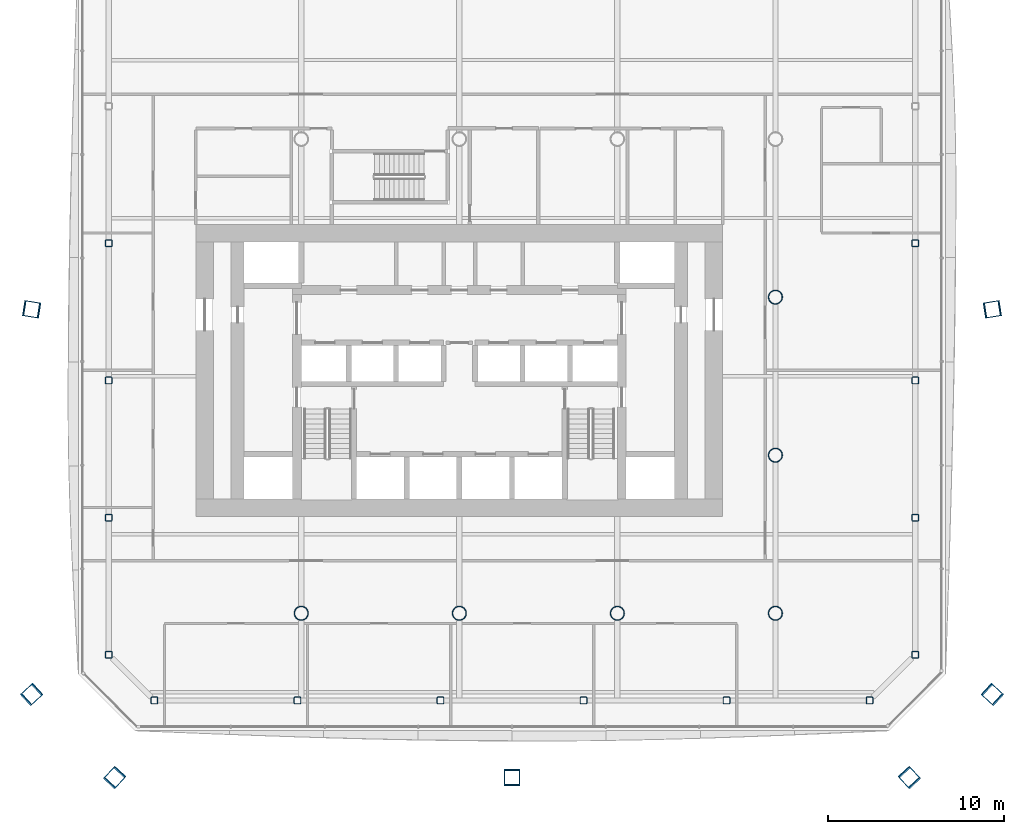
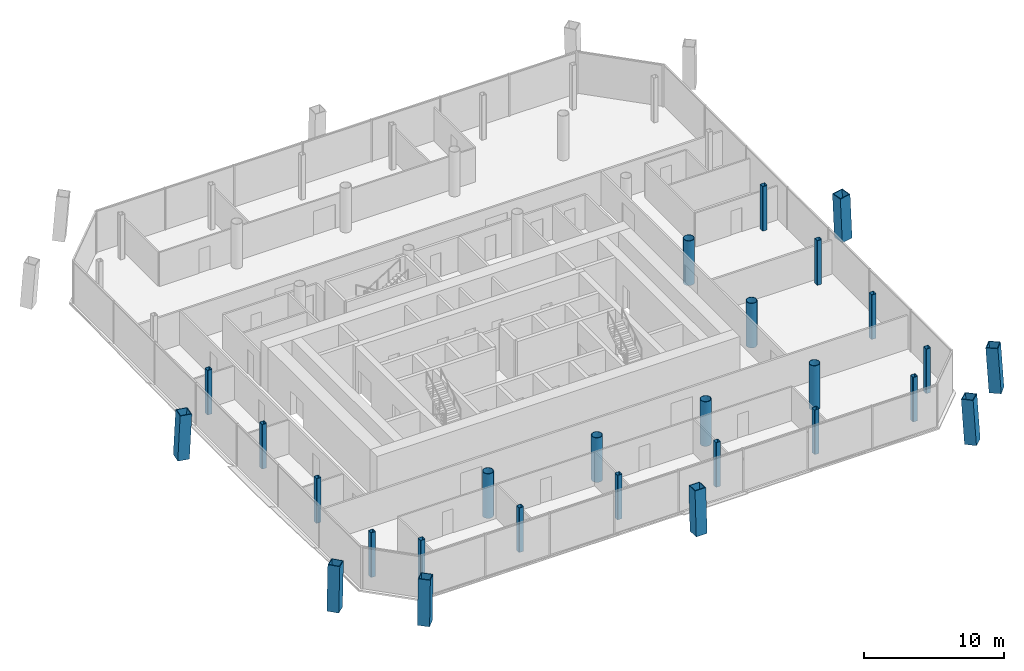
# One storey, part 1 of 19: 27 columns.
"""IFC4 building model written with IfcOpenShell, lengths in metres."""

from ifc_helpers import new_model, si_unit, direction, frame, origin, origin_2d, place, context, subcontext, project, spatial, hollow_rectangle, hollow_circle, extrude, material, material_profile, profile_set, type_object, element, save


model = new_model("IFC4")

# Units and contexts
model_context = context("Model", 3, precision=1e-05, world=origin(), true_north=direction((0.0, 1.0)))
body_context = subcontext(model_context, "Body", "Model", "MODEL_VIEW")
ifc_project = project(units=[si_unit("LENGTHUNIT", "METRE"), si_unit("AREAUNIT", "SQUARE_METRE"), si_unit("VOLUMEUNIT", "CUBIC_METRE"), si_unit("PLANEANGLEUNIT", "RADIAN"), si_unit("MASSUNIT", "GRAM", prefix="KILO")], contexts=[model_context])

# Site, building, storey
site_placement = place(None, origin())
site = spatial("IfcSite", under=ifc_project, at=site_placement, CompositionType="ELEMENT")
building_placement = place(site_placement, origin())
building = spatial("IfcBuilding", under=site, at=building_placement, Name="Tskaro Facet Tower", CompositionType="ELEMENT")
storey_placement = place(building_placement, frame((0.0, 0.0, 89.39990234375)))
storey = spatial("IfcBuildingStorey", under=building, at=storey_placement, Name="L21", CompositionType="ELEMENT", Elevation=89.39990234375)

# Columns
ifc_material_1 = material(Name="Steel S460M", Category="steel")
ifc_material_profile_1 = material_profile(ifc_material_1, hollow_rectangle(XDim=0.89990234375, YDim=0.89990234375, WallThickness=0.054931640625, at=origin_2d()), Name="BOX 900x900x55")
ifc_profile_set_1 = profile_set([ifc_material_profile_1], Name="Steel S460M")
column_type_1 = type_object("IfcColumnType", Name="BOX 900x900x55 mega column", PredefinedType="COLUMN", material=ifc_profile_set_1)
column_1_placement = place(storey_placement, frame((-19.64892578125, -27.3798828125, 0.0), z_axis=(0.042731350333, 0.046542187132, 0.99800193212), x_axis=(-0.736620357353, 0.676306475744, 0.0)))
element("IfcColumn", 1, at=column_1_placement, inside=storey, type_object=column_type_1, Name="BOX 900x900x55 MC01/2", PredefinedType="COLUMN", context=body_context, shape_type="SweptSolid", body=[
    extrude(hollow_rectangle(XDim=0.89990234375, YDim=0.89990234375, WallThickness=0.054931640625, at=origin_2d()), origin(), (0.0, 0.0, 1.0), 3.907958984375),
])
column_2_placement = place(storey_placement, frame((3.0, -27.3798828125, 0.0), z_axis=(0.0, 0.046584737692, 0.99891434178), x_axis=(-1.0, 0.0, 0.0)))
element("IfcColumn", 2, at=column_2_placement, inside=storey, type_object=column_type_1, Name="BOX 900x900x55 MC02/2", PredefinedType="COLUMN", context=body_context, shape_type="SweptSolid", body=[
    extrude(hollow_rectangle(XDim=0.89990234375, YDim=0.89990234375, WallThickness=0.054931640625, at=origin_2d()), origin(), (0.0, 0.0, 1.0), 3.904296875),
])
for number, where, z_axis, x_axis, name in (
    (3, (25.64892578125, -27.3798828125, 0.0), (-0.042731350333, 0.046542187132, 0.99800193212), (-0.736620357353, -0.676306475744, 0.0), "BOX 900x900x55 MC03/2"),
    (4, (30.3798828125, -22.64892578125, 0.0), (-0.046542187132, 0.042731350333, 0.99800193212), (-0.676306475744, -0.736620357353, 0.0), "BOX 900x900x55 MC04/2"),
):
    element("IfcColumn", number, at=place(storey_placement, frame(where, z_axis=z_axis, x_axis=x_axis)), inside=storey, type_object=column_type_1, Name=name, PredefinedType="COLUMN", context=body_context, shape_type="SweptSolid", body=[
        extrude(hollow_rectangle(XDim=0.89990234375, YDim=0.89990234375, WallThickness=0.054931640625, at=origin_2d()), origin(), (0.0, 0.0, 1.0), 3.907958984375),
    ])
for number, where, z_axis, x_axis, name in (
    (5, (30.3798828125, -0.68798828125, 0.0), (-0.046583448064, -0.007440846067, 0.998886688357), (0.157732016924, -0.987481954689, 0.0), "BOX 900x900x55 MC05/2"),
    (6, (-24.3798828125, -0.68798828125, 0.0), (0.046583448064, -0.007440846067, 0.998886688357), (0.157732016924, 0.987481954689, 0.0), "BOX 900x900x55 MC11/2"),
):
    element("IfcColumn", number, at=place(storey_placement, frame(where, z_axis=z_axis, x_axis=x_axis)), inside=storey, type_object=column_type_1, Name=name, PredefinedType="COLUMN", context=body_context, shape_type="SweptSolid", body=[
        extrude(hollow_rectangle(XDim=0.89990234375, YDim=0.89990234375, WallThickness=0.054931640625, at=origin_2d()), origin(), (0.0, 0.0, 1.0), 3.904541015625),
    ])
column_3_placement = place(storey_placement, frame((-24.3798828125, -22.64892578125, 0.0), z_axis=(0.046542187132, 0.042731350333, 0.99800193212), x_axis=(-0.676306475744, 0.736620357353, 0.0)))
element("IfcColumn", 7, at=column_3_placement, inside=storey, type_object=column_type_1, Name="BOX 900x900x55 MC12/2", PredefinedType="COLUMN", context=body_context, shape_type="SweptSolid", body=[
    extrude(hollow_rectangle(XDim=0.89990234375, YDim=0.89990234375, WallThickness=0.054931640625, at=origin_2d()), origin(), (0.0, 0.0, 1.0), 3.907958984375),
])
ifc_material_2 = material(Name="Steel S355J2H", Category="steel")
ifc_material_profile_2 = material_profile(ifc_material_2, hollow_circle(Radius=0.406494140625, WallThickness=0.035888671875, at=origin_2d()), Name="CHS 812.8x36")
ifc_profile_set_2 = profile_set([ifc_material_profile_2], Name="Steel S355J2H")
column_type_2 = type_object("IfcColumnType", Name="CHS 812.8x36 interior column", PredefinedType="COLUMN", material=ifc_profile_set_2)
for number, where, z_axis, x_axis, name in (
    (8, (-9.0, -18.0, 0.0), (0.0, 0.0, 1.0), (1.0, 0.0, 0.0), "CHS 812.8x36 C3B/2"),
    (9, (0.0, -18.0, 0.0), (0.0, 0.0, 1.0), (1.0, 0.0, 0.0), "CHS 812.8x36 C4B/2"),
    (10, (9.0, -18.0, 0.0), (0.0, 0.0, 1.0), (1.0, 0.0, 0.0), "CHS 812.8x36 C5B/2"),
    (11, (18.0, -18.0, 0.0), (0.0, 0.0, 1.0), (1.0, 0.0, 0.0), "CHS 812.8x36 C6B/2"),
    (12, (18.0, -9.0, 0.0), (0.0, 0.0, 1.0), (1.0, 0.0, 0.0), "CHS 812.8x36 C6C/2"),
    (13, (18.0, 0.0, 0.0), (0.0, 0.0, 1.0), (1.0, 0.0, 0.0), "CHS 812.8x36 C6D/2"),
):
    element("IfcColumn", number, at=place(storey_placement, frame(where, z_axis=z_axis, x_axis=x_axis)), inside=storey, type_object=column_type_2, Name=name, PredefinedType="COLUMN", context=body_context, shape_type="SweptSolid", body=[
        extrude(hollow_circle(Radius=0.406494140625, WallThickness=0.035888671875, at=origin_2d()), origin(), (0.0, 0.0, 1.0), 3.900146484375),
    ])
ifc_material_profile_3 = material_profile(ifc_material_2, hollow_rectangle(XDim=0.39990234375, YDim=0.39990234375, WallThickness=0.02490234375, InnerFilletRadius=0.03759765625, OuterFilletRadius=0.0625, at=origin_2d()), Name="SHS 400x400x25")
ifc_profile_set_3 = profile_set([ifc_material_profile_3], Name="Steel S355J2H")
column_type_3 = type_object("IfcColumnType", Name="SHS 400x400x25 ring column", PredefinedType="COLUMN", material=ifc_profile_set_3)
for number, where, z_axis, x_axis, name in (
    (14, (-17.364013671875, -22.965087890625, 0.0), (0.0, 0.0, 1.0), (1.0, 0.0, 0.0), "SHS 400x400x25 RS-1/2"),
    (15, (-9.218017578125, -22.965087890625, 0.0), (0.0, 0.0, 1.0), (1.0, 0.0, 0.0), "SHS 400x400x25 RS-2/2"),
    (16, (-1.072998046875, -22.965087890625, 0.0), (0.0, 0.0, 1.0), (1.0, 0.0, 0.0), "SHS 400x400x25 RS-3/2"),
    (17, (7.072998046875, -22.965087890625, 0.0), (0.0, 0.0, 1.0), (1.0, 0.0, 0.0), "SHS 400x400x25 RS-4/2"),
    (18, (15.218017578125, -22.965087890625, 0.0), (0.0, 0.0, 1.0), (1.0, 0.0, 0.0), "SHS 400x400x25 RS-5/2"),
    (19, (23.364013671875, -22.965087890625, 0.0), (0.0, 0.0, 1.0), (1.0, 0.0, 0.0), "SHS 400x400x25 RSE-1/2"),
    (20, (25.965087890625, -20.364013671875, 0.0), (0.0, 0.0, 1.0), (1.0, 0.0, 0.0), "SHS 400x400x25 RE-1/2"),
    (21, (25.965087890625, -12.552978515625, 0.0), (0.0, 0.0, 1.0), (1.0, 0.0, 0.0), "SHS 400x400x25 RE-2/2"),
    (22, (25.965087890625, -4.741943359375, 0.0), (0.0, 0.0, 1.0), (1.0, 0.0, 0.0), "SHS 400x400x25 RE-3/2"),
    (23, (25.965087890625, 3.068115234375, 0.0), (0.0, 0.0, 1.0), (1.0, 0.0, 0.0), "SHS 400x400x25 RE-4/2"),
    (24, (-19.965087890625, 3.068115234375, 0.0), (0.0, 0.0, 1.0), (1.0, 0.0, 0.0), "SHS 400x400x25 RW-3/2"),
    (25, (-19.965087890625, -4.741943359375, 0.0), (0.0, 0.0, 1.0), (1.0, 0.0, 0.0), "SHS 400x400x25 RW-4/2"),
    (26, (-19.965087890625, -12.552978515625, 0.0), (0.0, 0.0, 1.0), (1.0, 0.0, 0.0), "SHS 400x400x25 RW-5/2"),
    (27, (-19.965087890625, -20.364013671875, 0.0), (0.0, 0.0, 1.0), (1.0, 0.0, 0.0), "SHS 400x400x25 RSW-1/2"),
):
    element("IfcColumn", number, at=place(storey_placement, frame(where, z_axis=z_axis, x_axis=x_axis)), inside=storey, type_object=column_type_3, Name=name, PredefinedType="COLUMN", context=body_context, shape_type="SweptSolid", body=[
        extrude(hollow_rectangle(XDim=0.39990234375, YDim=0.39990234375, WallThickness=0.02490234375, InnerFilletRadius=0.03759765625, OuterFilletRadius=0.0625, at=origin_2d()), origin(), (0.0, 0.0, 1.0), 3.900146484375),
    ])

save(model, "model.ifc")
